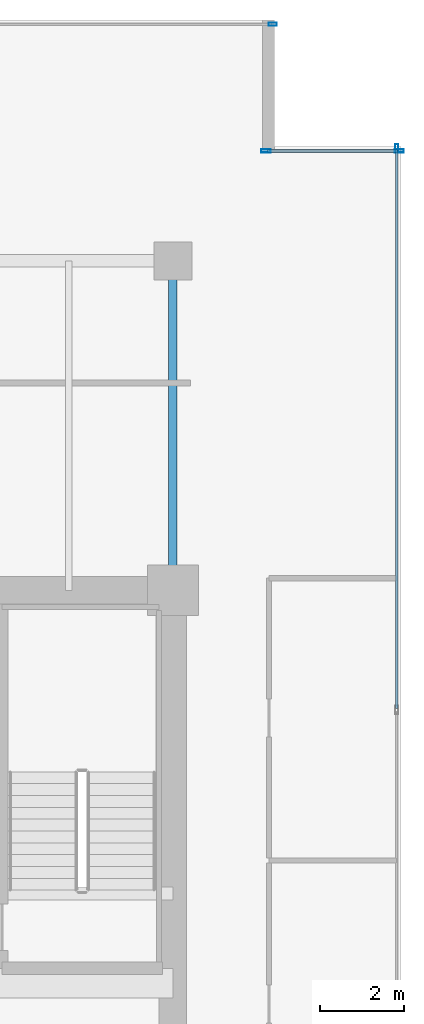
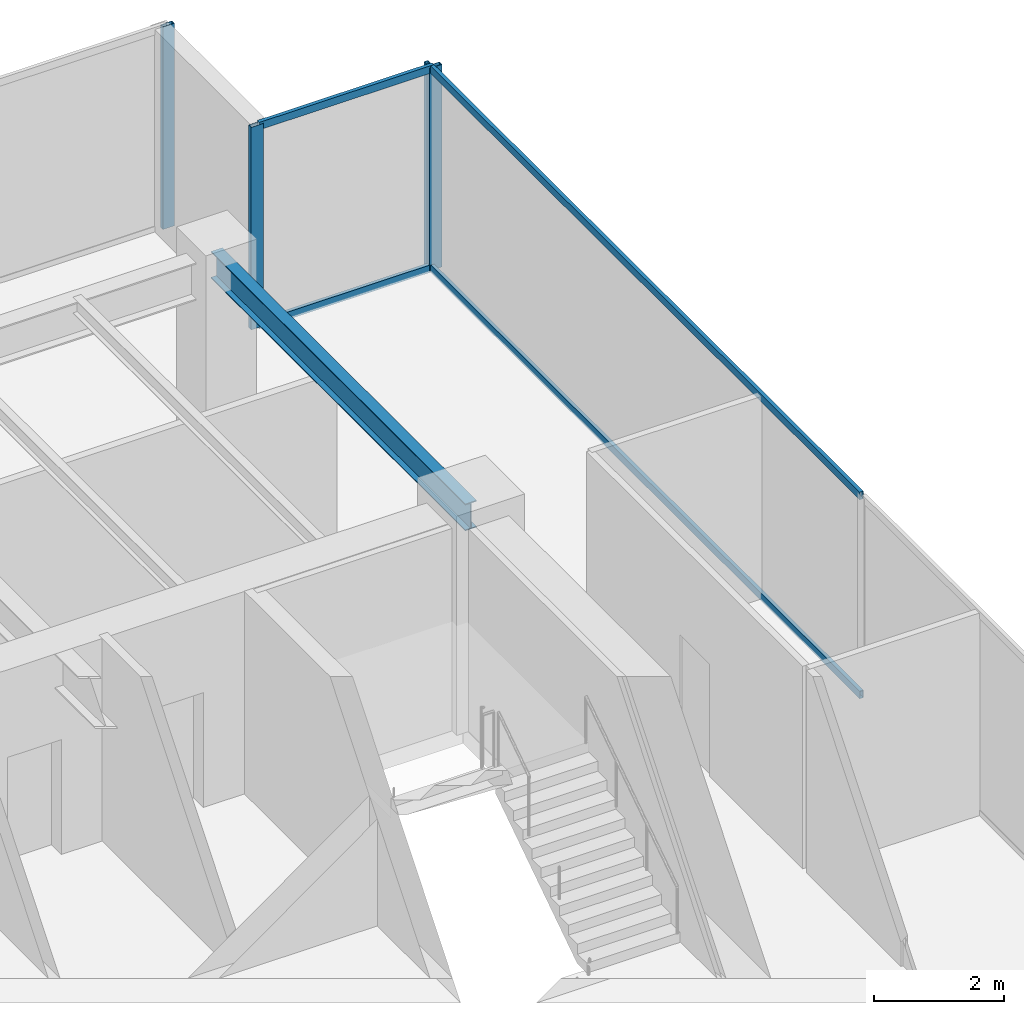
# One storey, part 23 of 30: 8 members, 1 beam, 3 elements without a shape of their own.
"""IFC4 building model written with IfcOpenShell, lengths in metres."""

from ifc_helpers import new_model, si_unit, direction, frame, origin, origin_2d, place, context, subcontext, project, spatial, hollow_rectangle, i_section, extrude, source, transform, mapped, material, layer, layer_set, material_profile, profile_set, type_object, type_shapes, element, aggregate, save


model = new_model("IFC4")

# Units and contexts
model_context = context("Model", 3, precision=1e-05, world=origin(), true_north=direction((0.0, 1.0)))
body_context = subcontext(model_context, "Body", "Model", "MODEL_VIEW")
ifc_project = project(units=[si_unit("LENGTHUNIT", "METRE"), si_unit("AREAUNIT", "SQUARE_METRE"), si_unit("VOLUMEUNIT", "CUBIC_METRE"), si_unit("PLANEANGLEUNIT", "RADIAN"), si_unit("MASSUNIT", "GRAM", prefix="KILO")], contexts=[model_context])

# Site, building, storey
site_placement = place(None, origin())
site = spatial("IfcSite", under=ifc_project, at=site_placement, CompositionType="ELEMENT")
building_placement = place(site_placement, origin())
building = spatial("IfcBuilding", under=site, at=building_placement, Name="Haelvirn Gate Laboratories", CompositionType="ELEMENT")
storey_placement = place(building_placement, frame((0.0, 0.0, 121.5)))
storey = spatial("IfcBuildingStorey", under=building, at=storey_placement, Name="L29", CompositionType="ELEMENT", Elevation=121.5)

# Beam
ifc_material_1 = material(Name="Steel SM355", Category="steel")
ifc_material_profile_1 = material_profile(ifc_material_1, i_section(OverallWidth=0.199951171875, OverallDepth=0.5, WebThickness=0.010009765625, FlangeThickness=0.01611328125, at=origin_2d()), Name="H-500x200x10x16")
ifc_profile_set_1 = profile_set([ifc_material_profile_1], Name="Steel SM355")
beam_type = type_object("IfcBeamType", Name="BM-SP-500", PredefinedType="SPANDREL", material=ifc_profile_set_1)
shared_shape_1 = source(origin(), body_context, "Body", "SweptSolid", [
    extrude(i_section(OverallWidth=0.199951171875, OverallDepth=0.5, WebThickness=0.010009765625, FlangeThickness=0.01611328125, at=origin_2d()), origin(), (0.0, 0.0, 1.0), 7.800048828125),
])
type_shapes(beam_type, [shared_shape_1])
beam_placement = place(storey_placement, frame((67.39990234375, 33.800048828125, 3.5400390625), z_axis=(0.0, 1.0, 0.0), x_axis=(-1.0, 0.0, 0.0)))
element("IfcBeam", 1, at=beam_placement, inside=storey, type_object=beam_type, Name="L29 Perimeter Spandrel X67.4 (33.8-41.6)", PredefinedType="SPANDREL", context=body_context, shape_type="MappedRepresentation", body=[
    mapped(shared_shape_1, transform((0.0, 0.0, 0.0), scale=1.0)),
])

# Curtain wall, members
ifc_material_2 = material(Name="Anodised bronze unitised aluminium & triple low-E glass", Category="aluminium")
ifc_layer_1 = layer(ifc_material_2, 0.181884765625, Name="CW-SYS-5")
ifc_layer_set_1 = layer_set([ifc_layer_1], Name="Anodised bronze unitised aluminium & triple low-E glass")
curtain_wall_type_1 = type_object("IfcCurtainWallType", Name="CW-SYS-5", PredefinedType="NOTDEFINED", material=ifc_layer_set_1)
curtain_wall_1_placement = place(storey_placement, origin())
curtain_wall_1 = element("IfcCurtainWall", 2, at=curtain_wall_1_placement, inside=storey, type_object=curtain_wall_type_1, Name="L29 Unitised Curtain Wall CW-L29-P0-E08-1", PredefinedType="NOTDEFINED")
ifc_material_3 = material(Name="Extruded aluminium 6063-T6 (anodised bronze)", Category="aluminium")
ifc_material_profile_2 = material_profile(ifc_material_3, hollow_rectangle(XDim=0.06494140625, YDim=0.139892578125, WallThickness=0.00390625, at=origin_2d()), Name="CWT-140x65x4")
ifc_profile_set_2 = profile_set([ifc_material_profile_2], Name="Extruded aluminium 6063-T6 (anodised bronze)")
member_type_1 = type_object("IfcMemberType", Name="CWT-T140", PredefinedType="USERDEFINED", material=ifc_profile_set_2)
shared_shape_2 = source(origin(), body_context, "Body", "SweptSolid", [
    extrude(hollow_rectangle(XDim=0.06494140625, YDim=0.139892578125, WallThickness=0.00390625, at=origin_2d()), origin(), (0.0, 0.0, 1.0), 3.080078125),
])
member_1_placement = place(storey_placement, frame((69.639892578125, 44.199951171875, 0.032470703125), z_axis=(1.0, 0.0, 0.0), x_axis=(0.0, 1.0, 0.0)))
member_1 = element("IfcMember", 3, at=member_1_placement, type_object=member_type_1, Name="CW5 transom 1.1", ObjectType="TRANSOM", PredefinedType="USERDEFINED", context=body_context, shape_type="MappedRepresentation", body=[
    mapped(shared_shape_2, transform((0.0, 0.0, 0.0), scale=1.0)),
])
member_2_placement = place(storey_placement, frame((69.639892578125, 44.199951171875, 3.757568359375), z_axis=(1.0, 0.0, 0.0), x_axis=(0.0, 1.0, 0.0)))
member_2 = element("IfcMember", 4, at=member_2_placement, type_object=member_type_1, Name="CW5 transom 1.2", ObjectType="TRANSOM", PredefinedType="USERDEFINED", context=body_context, shape_type="MappedRepresentation", body=[
    mapped(shared_shape_2, transform((0.0, 0.0, 0.0), scale=1.0)),
])

ifc_layer_2 = layer(ifc_material_2, 0.179931640625, Name="CW-SYS-3")
ifc_layer_set_2 = layer_set([ifc_layer_2], Name="Anodised bronze unitised aluminium & triple low-E glass")
curtain_wall_type_2 = type_object("IfcCurtainWallType", Name="CW-SYS-3", PredefinedType="NOTDEFINED", material=ifc_layer_set_2)
curtain_wall_2_placement = place(storey_placement, origin())
curtain_wall_2 = element("IfcCurtainWall", 5, at=curtain_wall_2_placement, inside=storey, type_object=curtain_wall_type_2, Name="L29 Unitised Curtain Wall CW-L29-P0-E07", PredefinedType="NOTDEFINED")
shared_shape_3 = source(origin(), body_context, "Body", "SweptSolid", [
    extrude(hollow_rectangle(XDim=0.06494140625, YDim=0.139892578125, WallThickness=0.00390625, at=origin_2d()), origin(), (0.0, 0.0, 1.0), 13.220947265625),
])
type_shapes(member_type_1, [shared_shape_2, shared_shape_3])
member_3_placement = place(storey_placement, frame((72.699951171875, 31.004150390625, 0.032470703125), z_axis=(0.0, 1.0, 0.0), x_axis=(-1.0, 0.0, 0.0)))
member_3 = element("IfcMember", 6, at=member_3_placement, type_object=member_type_1, Name="CW3 transom 3.1", ObjectType="TRANSOM", PredefinedType="USERDEFINED", context=body_context, shape_type="MappedRepresentation", body=[
    mapped(shared_shape_3, transform((0.0, 0.0, 0.0), scale=1.0)),
])
member_4_placement = place(storey_placement, frame((72.699951171875, 31.004150390625, 3.757568359375), z_axis=(0.0, 1.0, 0.0), x_axis=(-1.0, 0.0, 0.0)))
member_4 = element("IfcMember", 7, at=member_4_placement, type_object=member_type_1, Name="CW3 transom 3.2", ObjectType="TRANSOM", PredefinedType="USERDEFINED", context=body_context, shape_type="MappedRepresentation", body=[
    mapped(shared_shape_3, transform((0.0, 0.0, 0.0), scale=1.0)),
])
ifc_material_profile_3 = material_profile(ifc_material_3, hollow_rectangle(XDim=0.074951171875, YDim=0.199951171875, WallThickness=0.0048828125, at=origin_2d()), Name="CWM-200x75x5")
ifc_profile_set_3 = profile_set([ifc_material_profile_3], Name="Extruded aluminium 6063-T6 (anodised bronze)")
member_type_2 = type_object("IfcMemberType", Name="CWM-T200", PredefinedType="MULLION", material=ifc_profile_set_3)
shared_shape_4 = source(origin(), body_context, "Body", "SweptSolid", [
    extrude(hollow_rectangle(XDim=0.074951171875, YDim=0.199951171875, WallThickness=0.0048828125, at=origin_2d()), origin(), (0.0, 0.0, 1.0), 3.7900390625),
])
type_shapes(member_type_2, [shared_shape_4])
member_5_placement = place(storey_placement, frame((72.699951171875, 44.262451171875, 0.0), z_axis=(0.0, 0.0, 1.0), x_axis=(-1.0, 0.0, 0.0)))
member_5 = element("IfcMember", 8, at=member_5_placement, type_object=member_type_2, Name="CW3 mullion 4", PredefinedType="MULLION", context=body_context, shape_type="MappedRepresentation", body=[
    mapped(shared_shape_4, transform((0.0, 0.0, 0.0), scale=1.0)),
])
aggregate(curtain_wall_2, [member_5, member_3, member_4])

# Curtain wall, member
curtain_wall_3_placement = place(storey_placement, origin())
curtain_wall_3 = element("IfcCurtainWall", 9, at=curtain_wall_3_placement, inside=storey, type_object=curtain_wall_type_2, Name="L29 Unitised Curtain Wall CW-L29-P0-E10-1", PredefinedType="NOTDEFINED")
member_6_placement = place(storey_placement, frame((69.762451171875, 47.199951171875, 0.0), z_axis=(0.0, 0.0, 1.0), x_axis=(0.0, 1.0, 0.0)))
member_6 = element("IfcMember", 10, at=member_6_placement, type_object=member_type_2, Name="CW3 mullion 3", PredefinedType="MULLION", context=body_context, shape_type="MappedRepresentation", body=[
    mapped(shared_shape_4, transform((0.0, 0.0, 0.0), scale=1.0)),
])
aggregate(curtain_wall_3, [member_6])

# Member
ifc_material_profile_4 = material_profile(ifc_material_3, hollow_rectangle(XDim=0.080078125, YDim=0.219970703125, WallThickness=0.006103515625, at=origin_2d()), Name="CWM-220x80x6")
ifc_profile_set_4 = profile_set([ifc_material_profile_4], Name="Extruded aluminium 6063-T6 (anodised bronze)")
member_type_3 = type_object("IfcMemberType", Name="CWM-T220", PredefinedType="MULLION", material=ifc_profile_set_4)
shared_shape_5 = source(origin(), body_context, "Body", "SweptSolid", [
    extrude(hollow_rectangle(XDim=0.080078125, YDim=0.219970703125, WallThickness=0.006103515625, at=origin_2d()), origin(), (0.0, 0.0, 1.0), 3.7900390625),
])
type_shapes(member_type_3, [shared_shape_5])
member_7_placement = place(storey_placement, frame((69.60009765625, 44.199951171875, 0.0), z_axis=(0.0, 0.0, 1.0), x_axis=(0.0, 1.0, 0.0)))
member_7 = element("IfcMember", 11, at=member_7_placement, type_object=member_type_3, Name="CW5 mullion 1", PredefinedType="MULLION", context=body_context, shape_type="MappedRepresentation", body=[
    mapped(shared_shape_5, transform((0.0, 0.0, 0.0), scale=1.0)),
])

member_8_placement = place(storey_placement, frame((72.760009765625, 44.199951171875, 0.0), z_axis=(0.0, 0.0, 1.0), x_axis=(0.0, 1.0, 0.0)))
member_8 = element("IfcMember", 12, at=member_8_placement, type_object=member_type_3, Name="CW5 mullion 2", PredefinedType="MULLION", context=body_context, shape_type="MappedRepresentation", body=[
    mapped(shared_shape_5, transform((0.0, 0.0, 0.0), scale=1.0)),
])

aggregate(curtain_wall_1, [member_7, member_8, member_1, member_2])

save(model, "model.ifc")
